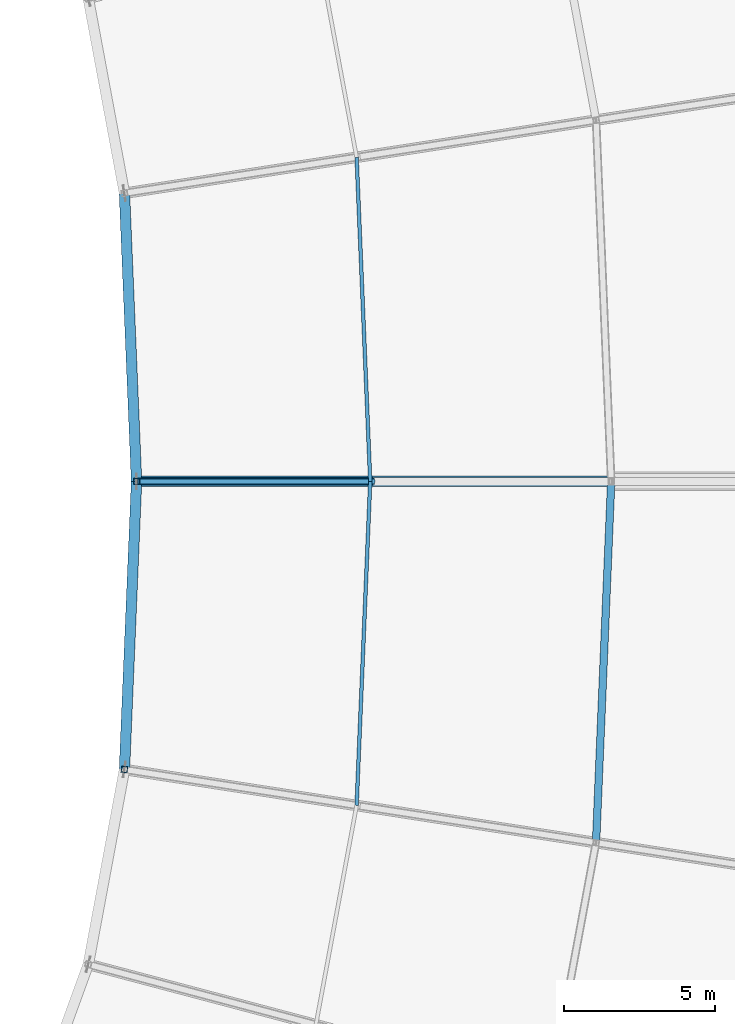
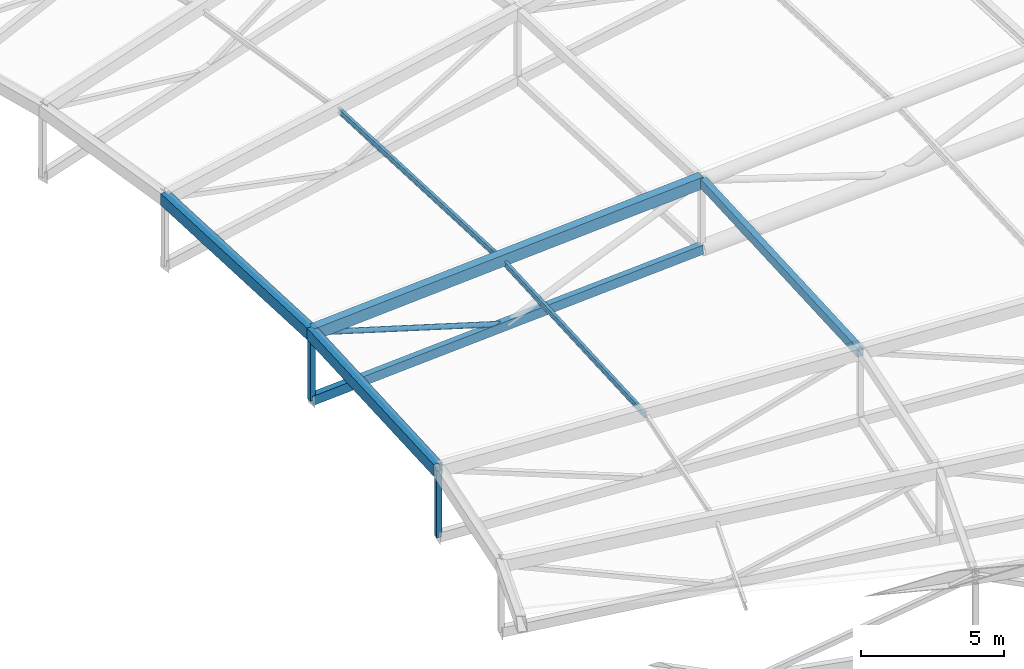
# One storey, part 71 of 143: 5 beams, 5 members.
"""IFC4 building model written with IfcOpenShell, lengths in metres."""

from ifc_helpers import new_model, si_unit, direction, frame, origin, origin_2d, place, context, subcontext, project, spatial, hollow_rectangle, hollow_circle, i_section, extrude, material, material_profile, profile_set, type_object, element, save


model = new_model("IFC4")

# Units and contexts
model_context = context("Model", 3, precision=1e-05, world=origin(), true_north=direction((0.0, 1.0)))
body_context = subcontext(model_context, "Body", "Model", "MODEL_VIEW")
ifc_project = project(units=[si_unit("LENGTHUNIT", "METRE"), si_unit("AREAUNIT", "SQUARE_METRE"), si_unit("VOLUMEUNIT", "CUBIC_METRE"), si_unit("PLANEANGLEUNIT", "RADIAN"), si_unit("MASSUNIT", "GRAM", prefix="KILO")], contexts=[model_context])

# Site, building, storey
site_placement = place(None, origin())
site = spatial("IfcSite", under=ifc_project, at=site_placement, CompositionType="ELEMENT")
building_placement = place(site_placement, origin())
building = spatial("IfcBuilding", under=site, at=building_placement, Name="Mphavela Belvedere Stadium", CompositionType="ELEMENT")
storey_placement = place(building_placement, frame((0.0, 0.0, 28.800048828125)))
storey = spatial("IfcBuildingStorey", under=building, at=storey_placement, Name="RF", CompositionType="ELEMENT", Elevation=28.800048828125)

# Beams
ifc_material_1 = material(Name="Steel S355", Category="steel")
ifc_material_profile_1 = material_profile(ifc_material_1, hollow_rectangle(XDim=0.35009765625, YDim=0.5, WallThickness=0.02001953125, at=origin_2d()), Name="RHS 500x350x20")
ifc_profile_set_1 = profile_set([ifc_material_profile_1], Name="Steel S355")
beam_type_1 = type_object("IfcBeamType", Name="BM-RING-IN", PredefinedType="BEAM", material=ifc_profile_set_1)
for number, where, z_axis, x_axis, name in (
    (1, (177.080078125, 87.0, 1.4990234375), (-0.041914662258, 0.999068099297, 0.010300196808), (-0.999121101107, -0.041916885883, 0.0), "Inner tension ring beam RB-IN-01"),
    (2, (176.6787109375, 77.43310546875, 1.59765625), (0.041914662258, 0.999068099297, -0.010300196808), (-0.999121101107, 0.041916885883, 0.0), "Inner tension ring beam RB-IN-48"),
):
    element("IfcBeam", number, at=place(storey_placement, frame(where, z_axis=z_axis, x_axis=x_axis)), inside=storey, type_object=beam_type_1, Name=name, PredefinedType="BEAM", context=body_context, shape_type="SweptSolid", body=[
        extrude(hollow_rectangle(XDim=0.35009765625, YDim=0.5, WallThickness=0.02001953125, at=origin_2d()), origin(), (0.0, 0.0, 1.0), 9.575927734375),
    ])
ifc_material_2 = material(Name="Steel S355", Category="steel")
ifc_material_profile_2 = material_profile(ifc_material_2, hollow_rectangle(XDim=0.25, YDim=0.39990234375, WallThickness=0.01611328125, at=origin_2d()), Name="RHS 400x250x16")
ifc_profile_set_2 = profile_set([ifc_material_profile_2], Name="Steel S355")
beam_type_2 = type_object("IfcBeamType", Name="BM-RING-MID", PredefinedType="BEAM", material=ifc_profile_set_2)
beam_1_placement = place(storey_placement, frame((192.33935546875, 75.004150390625, 2.614013671875), z_axis=(0.041906581182, 0.999068348561, -0.010308896972), x_axis=(-0.999121439966, 0.041908808136, 0.0)))
element("IfcBeam", 3, at=beam_1_placement, inside=storey, type_object=beam_type_2, Name="Intermediate roof ring beam RB-MID-48", PredefinedType="BEAM", context=body_context, shape_type="SweptSolid", body=[
    extrude(hollow_rectangle(XDim=0.25, YDim=0.39990234375, WallThickness=0.01611328125, at=origin_2d()), origin(), (0.0, 0.0, 1.0), 12.007080078125),
])
ifc_material_3 = material(Name="Steel S355", Category="steel")
ifc_material_profile_3 = material_profile(ifc_material_3, hollow_rectangle(XDim=0.25, YDim=0.39990234375, WallThickness=0.01611328125, at=origin_2d()), Name="RHS 400x250x16")
ifc_profile_set_3 = profile_set([ifc_material_profile_3], Name="Steel S355")
beam_type_3 = type_object("IfcBeamType", Name="BM-TRUSS-BC2", PredefinedType="BEAM", material=ifc_profile_set_3)
beam_2_placement = place(storey_placement, frame((192.842529296875, 87.0, -0.40966796875), z_axis=(-0.998221242723, 0.0, -0.059618374486), x_axis=(0.0, -1.0, 0.0)))
element("IfcBeam", 4, at=beam_2_placement, inside=storey, type_object=beam_type_3, Name="Radial roof truss RT-01 bottom chord 3", PredefinedType="BEAM", context=body_context, shape_type="SweptSolid", body=[
    extrude(hollow_rectangle(XDim=0.25, YDim=0.39990234375, WallThickness=0.01611328125, at=origin_2d()), origin(), (0.0, 0.0, 1.0), 15.79052734375),
])
ifc_material_4 = material(Name="Steel S355", Category="steel")
ifc_material_profile_4 = material_profile(ifc_material_4, hollow_rectangle(XDim=0.35009765625, YDim=0.5, WallThickness=0.02001953125, at=origin_2d()), Name="RHS 500x350x20")
ifc_profile_set_4 = profile_set([ifc_material_profile_4], Name="Steel S355")
beam_type_4 = type_object("IfcBeamType", Name="BM-TRUSS-TC2", PredefinedType="BEAM", material=ifc_profile_set_4)
beam_3_placement = place(storey_placement, frame((192.842529296875, 87.0, 2.490234375), z_axis=(-0.998028626324, 0.0, -0.062760346063), x_axis=(0.0, -1.0, 0.0)))
element("IfcBeam", 5, at=beam_3_placement, inside=storey, type_object=beam_type_4, Name="Radial roof truss RT-01 top chord 3", PredefinedType="BEAM", context=body_context, shape_type="SweptSolid", body=[
    extrude(hollow_rectangle(XDim=0.35009765625, YDim=0.5, WallThickness=0.02001953125, at=origin_2d()), origin(), (0.0, 0.0, 1.0), 15.793701171875),
])

# Members
ifc_material_5 = material(Name="Steel S355", Category="steel")
ifc_material_profile_5 = material_profile(ifc_material_5, hollow_circle(Radius=0.109619140625, WallThickness=0.012451171875, at=origin_2d()), Name="CHS 219.1x12.5")
ifc_profile_set_5 = profile_set([ifc_material_profile_5], Name="Steel S355")
member_type_1 = type_object("IfcMemberType", Name="MEM-DIAG-219", PredefinedType="BRACE", material=ifc_profile_set_5)
member_1_placement = place(storey_placement, frame((184.961181640625, 87.0, -0.88037109375), z_axis=(-0.957321208507, 0.0, 0.289026129863), x_axis=(0.0, -1.0, 0.0)))
element("IfcMember", 6, at=member_1_placement, inside=storey, type_object=member_type_1, Name="Radial roof truss RT-01 web diagonal D6", PredefinedType="BRACE", context=body_context, shape_type="SweptSolid", body=[
    extrude(hollow_circle(Radius=0.109619140625, WallThickness=0.012451171875, at=origin_2d()), origin(), (0.0, 0.0, 1.0), 8.232421875),
])
ifc_material_6 = material(Name="Steel S355", Category="steel")
ifc_material_profile_6 = material_profile(ifc_material_6, hollow_rectangle(XDim=0.199951171875, YDim=0.199951171875, WallThickness=0.010009765625, at=origin_2d()), Name="SHS 200x200x10")
ifc_profile_set_6 = profile_set([ifc_material_profile_6], Name="Steel S355")
member_type_2 = type_object("IfcMemberType", Name="MEM-POST-SHS200", PredefinedType="POST", material=ifc_profile_set_6)
member_2_placement = place(storey_placement, frame((177.080078125, 87.0, -1.35107421875), z_axis=(0.0, 0.0, 1.0), x_axis=(1.0, 0.0, 0.0)))
element("IfcMember", 7, at=member_2_placement, inside=storey, type_object=member_type_2, Name="Radial roof truss RT-01 post P4", PredefinedType="POST", context=body_context, shape_type="SweptSolid", body=[
    extrude(hollow_rectangle(XDim=0.199951171875, YDim=0.199951171875, WallThickness=0.010009765625, at=origin_2d()), origin(), (0.0, 0.0, 1.0), 2.85009765625),
])
member_3_placement = place(storey_placement, frame((176.6787109375, 77.43310546875, -1.252197265625), z_axis=(0.0, 0.0, 1.0), x_axis=(0.98817491911, -0.153330783737, 0.0)))
element("IfcMember", 8, at=member_3_placement, inside=storey, type_object=member_type_2, Name="Radial roof truss RT-48 post P4", PredefinedType="POST", context=body_context, shape_type="SweptSolid", body=[
    extrude(hollow_rectangle(XDim=0.199951171875, YDim=0.199951171875, WallThickness=0.010009765625, at=origin_2d()), origin(), (0.0, 0.0, 1.0), 2.849853515625),
])
ifc_material_7 = material(Name="Steel S355", Category="steel")
ifc_material_profile_7 = material_profile(ifc_material_7, i_section(OverallWidth=0.1201171875, OverallDepth=0.239990234375, WebThickness=0.006103515625, FlangeThickness=0.009765625, at=origin_2d()), Name="IPE 240")
ifc_profile_set_7 = profile_set([ifc_material_profile_7], Name="Steel S355")
member_type_3 = type_object("IfcMemberType", Name="MEM-PURLIN-IPE240", PredefinedType="PURLIN", material=ifc_profile_set_7)
for number, where, z_axis, x_axis, name in (
    (9, (184.840087890625, 87.0, 1.826904296875), (-0.041903583105, 0.999068446519, 0.010311590218), (-0.999121565676, -0.041905811064, 0.0), "Saddle canopy steel purlin 01-1"),
    (10, (184.388671875, 76.2373046875, 1.93798828125), (0.041903583105, 0.999068446519, -0.010311590218), (-0.999121565676, 0.041905811064, 0.0), "Saddle canopy steel purlin 48-1"),
):
    element("IfcMember", number, at=place(storey_placement, frame(where, z_axis=z_axis, x_axis=x_axis)), inside=storey, type_object=member_type_3, Name=name, PredefinedType="PURLIN", context=body_context, shape_type="SweptSolid", body=[
        extrude(i_section(OverallWidth=0.1201171875, OverallDepth=0.239990234375, WebThickness=0.006103515625, FlangeThickness=0.009765625, at=origin_2d()), origin(), (0.0, 0.0, 1.0), 10.772705078125),
    ])

save(model, "model.ifc")
